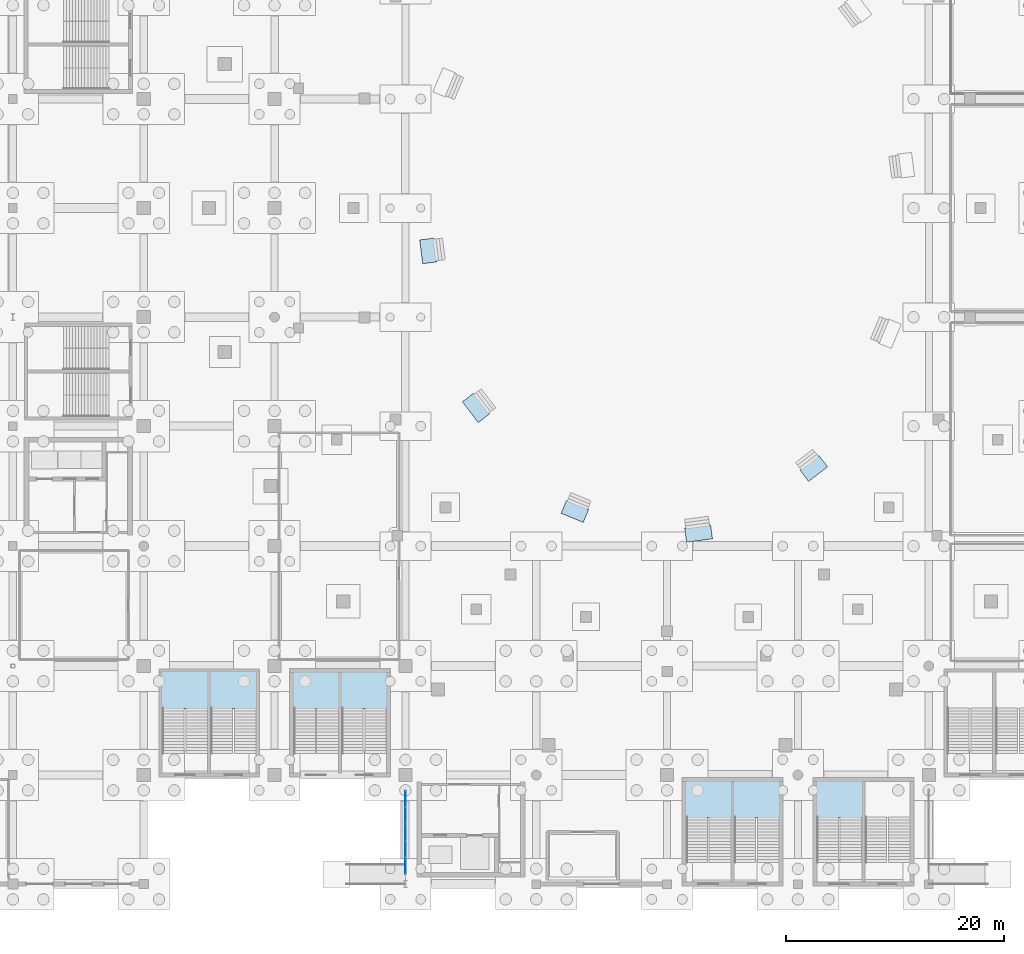
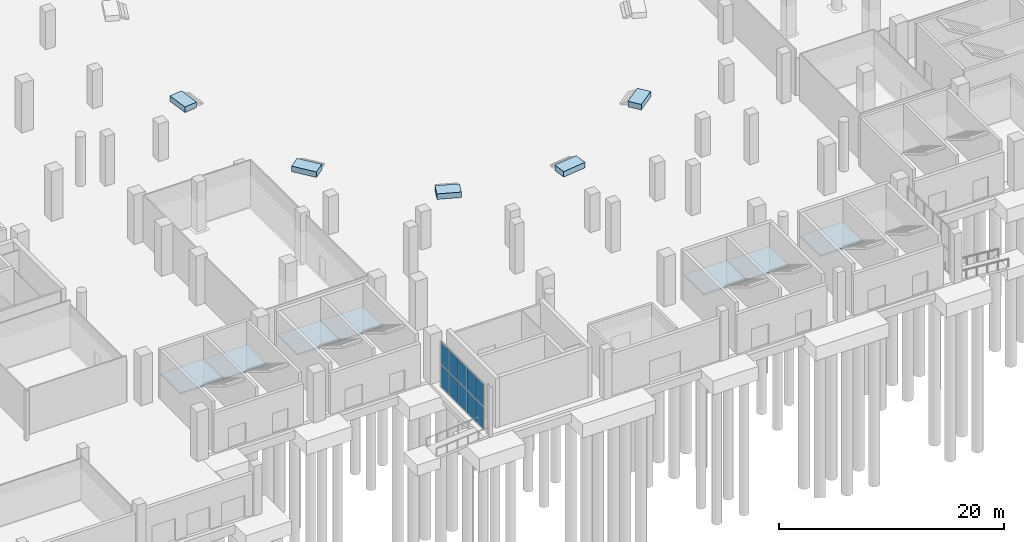
# One storey, part 40 of 70: 12 slabs, 10 plates, 8 elements without a shape of their own.
"""IFC4 building model written with IfcOpenShell, lengths in metres."""

from ifc_helpers import new_model, si_unit, direction, frame, origin, origin_2d, place, context, subcontext, project, spatial, polyline, rectangle, outline, extrude, material, layer, layer_set, type_object, element, aggregate, save


model = new_model("IFC4")

# Units and contexts
model_context = context("Model", 3, precision=1e-05, world=origin(), true_north=direction((0.0, 1.0)))
body_context = subcontext(model_context, "Body", "Model", "MODEL_VIEW")
ifc_project = project(units=[si_unit("LENGTHUNIT", "METRE"), si_unit("AREAUNIT", "SQUARE_METRE"), si_unit("VOLUMEUNIT", "CUBIC_METRE"), si_unit("PLANEANGLEUNIT", "RADIAN"), si_unit("MASSUNIT", "GRAM", prefix="KILO")], contexts=[model_context])

# Site, building, storey
site_placement = place(None, origin())
site = spatial("IfcSite", under=ifc_project, at=site_placement, CompositionType="ELEMENT")
building_placement = place(site_placement, origin())
building = spatial("IfcBuilding", under=site, at=building_placement, Name="Brinegate Civic Arena", CompositionType="ELEMENT")
storey_placement = place(building_placement, origin())
storey = spatial("IfcBuildingStorey", under=building, at=storey_placement, Name="L00", CompositionType="ELEMENT", Elevation=0.0)

# Curtain wall, plates
ifc_material_1 = material(Name="Marine grade aluminium", Category="aluminium")
ifc_layer_1 = layer(ifc_material_1, 0.235107421875, Name="Marine grade aluminium")
ifc_layer_set_1 = layer_set([ifc_layer_1], Name="Marine grade aluminium")
curtain_wall_type = type_object("IfcCurtainWallType", Name="CW-PORTAL-NORTH-01", PredefinedType="USERDEFINED", material=ifc_layer_set_1)
curtain_wall_placement = place(storey_placement, origin())
curtain_wall = element("IfcCurtainWall", 1, at=curtain_wall_placement, inside=storey, type_object=curtain_wall_type, Name="Curtain Wall CWA-008", ObjectType="PORTAL CURTAIN WALL", PredefinedType="USERDEFINED")
ifc_material_2 = material(Name="Hurricane laminated low-E glass", Category="glass")
ifc_layer_2 = layer(ifc_material_2, 0.028076171875, Name="Hurricane laminated low-E glass")
ifc_layer_set_2 = layer_set([ifc_layer_2], Name="Hurricane laminated low-E glass")
plate_type = type_object("IfcPlateType", Name="CW-PANEL-GLAZED-28", PredefinedType="CURTAIN_PANEL", material=ifc_layer_set_2)
plate_1_placement = place(storey_placement, frame((84.0, 1.682861328125, 0.074951171875), z_axis=(0.0, 0.0, 1.0), x_axis=(0.0, 1.0, 0.0)))
plate_1 = element("IfcPlate", 2, at=plate_1_placement, type_object=plate_type, Name="CWA-008 panel 1.1", PredefinedType="CURTAIN_PANEL", context=body_context, shape_type="SweptSolid", body=[
    extrude(rectangle(XDim=1.443603515625, YDim=0.028076171875, at=origin_2d()), origin(), (0.0, 0.0, 1.0), 2.41748046875),
])
plate_2_placement = place(storey_placement, frame((84.0, 1.682861328125, 2.567626953125), z_axis=(0.0, 0.0, 1.0), x_axis=(0.0, 1.0, 0.0)))
plate_2 = element("IfcPlate", 3, at=plate_2_placement, type_object=plate_type, Name="CWA-008 panel 1.2", PredefinedType="CURTAIN_PANEL", context=body_context, shape_type="SweptSolid", body=[
    extrude(rectangle(XDim=1.443603515625, YDim=0.028076171875, at=origin_2d()), origin(), (0.0, 0.0, 1.0), 2.41748046875),
])
plate_3_placement = place(storey_placement, frame((84.0, 3.20751953125, 0.074951171875), z_axis=(0.0, 0.0, 1.0), x_axis=(0.0, 1.0, 0.0)))
plate_3 = element("IfcPlate", 4, at=plate_3_placement, type_object=plate_type, Name="CWA-008 panel 2.1", PredefinedType="CURTAIN_PANEL", context=body_context, shape_type="SweptSolid", body=[
    extrude(rectangle(XDim=1.47607421875, YDim=0.028076171875, at=origin_2d()), origin(), (0.0, 0.0, 1.0), 2.41748046875),
])
plate_4_placement = place(storey_placement, frame((84.0, 3.20751953125, 2.567626953125), z_axis=(0.0, 0.0, 1.0), x_axis=(0.0, 1.0, 0.0)))
plate_4 = element("IfcPlate", 5, at=plate_4_placement, type_object=plate_type, Name="CWA-008 panel 2.2", PredefinedType="CURTAIN_PANEL", context=body_context, shape_type="SweptSolid", body=[
    extrude(rectangle(XDim=1.47607421875, YDim=0.028076171875, at=origin_2d()), origin(), (0.0, 0.0, 1.0), 2.41748046875),
])
plate_5_placement = place(storey_placement, frame((84.0, 4.74853515625, 0.074951171875), z_axis=(0.0, 0.0, 1.0), x_axis=(0.0, 1.0, 0.0)))
plate_5 = element("IfcPlate", 6, at=plate_5_placement, type_object=plate_type, Name="CWA-008 panel 3.1", PredefinedType="CURTAIN_PANEL", context=body_context, shape_type="SweptSolid", body=[
    extrude(rectangle(XDim=1.47607421875, YDim=0.028076171875, at=origin_2d()), origin(), (0.0, 0.0, 1.0), 2.41748046875),
])
plate_6_placement = place(storey_placement, frame((84.0, 4.74853515625, 2.567626953125), z_axis=(0.0, 0.0, 1.0), x_axis=(0.0, 1.0, 0.0)))
plate_6 = element("IfcPlate", 7, at=plate_6_placement, type_object=plate_type, Name="CWA-008 panel 3.2", PredefinedType="CURTAIN_PANEL", context=body_context, shape_type="SweptSolid", body=[
    extrude(rectangle(XDim=1.47607421875, YDim=0.028076171875, at=origin_2d()), origin(), (0.0, 0.0, 1.0), 2.41748046875),
])
plate_7_placement = place(storey_placement, frame((84.0, 6.28955078125, 0.074951171875), z_axis=(0.0, 0.0, 1.0), x_axis=(0.0, 1.0, 0.0)))
plate_7 = element("IfcPlate", 8, at=plate_7_placement, type_object=plate_type, Name="CWA-008 panel 4.1", PredefinedType="CURTAIN_PANEL", context=body_context, shape_type="SweptSolid", body=[
    extrude(rectangle(XDim=1.47607421875, YDim=0.028076171875, at=origin_2d()), origin(), (0.0, 0.0, 1.0), 2.41748046875),
])
plate_8_placement = place(storey_placement, frame((84.0, 6.28955078125, 2.567626953125), z_axis=(0.0, 0.0, 1.0), x_axis=(0.0, 1.0, 0.0)))
plate_8 = element("IfcPlate", 9, at=plate_8_placement, type_object=plate_type, Name="CWA-008 panel 4.2", PredefinedType="CURTAIN_PANEL", context=body_context, shape_type="SweptSolid", body=[
    extrude(rectangle(XDim=1.47607421875, YDim=0.028076171875, at=origin_2d()), origin(), (0.0, 0.0, 1.0), 2.41748046875),
])
plate_9_placement = place(storey_placement, frame((84.0, 7.814208984375, 0.074951171875), z_axis=(0.0, 0.0, 1.0), x_axis=(0.0, 1.0, 0.0)))
plate_9 = element("IfcPlate", 10, at=plate_9_placement, type_object=plate_type, Name="CWA-008 panel 5.1", PredefinedType="CURTAIN_PANEL", context=body_context, shape_type="SweptSolid", body=[
    extrude(rectangle(XDim=1.443603515625, YDim=0.028076171875, at=origin_2d()), origin(), (0.0, 0.0, 1.0), 2.41748046875),
])
plate_10_placement = place(storey_placement, frame((84.0, 7.814208984375, 2.567626953125), z_axis=(0.0, 0.0, 1.0), x_axis=(0.0, 1.0, 0.0)))
plate_10 = element("IfcPlate", 11, at=plate_10_placement, type_object=plate_type, Name="CWA-008 panel 5.2", PredefinedType="CURTAIN_PANEL", context=body_context, shape_type="SweptSolid", body=[
    extrude(rectangle(XDim=1.443603515625, YDim=0.028076171875, at=origin_2d()), origin(), (0.0, 0.0, 1.0), 2.41748046875),
])
aggregate(curtain_wall, [plate_1, plate_2, plate_3, plate_4, plate_5, plate_6, plate_7, plate_8, plate_9, plate_10])

# Stair, slab
ifc_material_3 = material(Name="Concrete C40/50", Category="concrete")
stair_type_1 = type_object("IfcStairType", Name="STAIR-EXIT-3850", PredefinedType="HALF_TURN_STAIR", material=ifc_material_3)
stair_1_placement = place(storey_placement, origin())
stair_1 = element("IfcStair", 12, at=stair_1_placement, inside=storey, type_object=stair_type_1, Name="Protected Exit Stair ST-02A (L00)", PredefinedType="HALF_TURN_STAIR")
ifc_layer_3 = layer(ifc_material_3, 0.179931640625, Name="Concrete C40/50")
ifc_layer_set_3 = layer_set([ifc_layer_3], Name="Concrete C40/50")
slab_type_1 = type_object("IfcSlabType", Name="SLAB-LANDING-180", PredefinedType="LANDING", material=ifc_layer_set_3)
slab_1_placement = place(storey_placement, frame((0.0, 0.0, 2.52001953125)))
slab_1 = element("IfcSlab", 13, at=slab_1_placement, type_object=slab_type_1, Name="ST-02A landing 1", PredefinedType="LANDING", context=body_context, shape_type="SweptSolid", body=[
    extrude(outline(polyline([(61.544921875, 16.090087890625), (66.0048828125, 16.090087890625), (66.0048828125, 19.60009765625), (61.544921875, 19.60009765625), (61.544921875, 16.090087890625)])), origin(), (0.0, 0.0, 1.0), 0.179931640625),
])
aggregate(stair_1, [slab_1])

stair_type_2 = type_object("IfcStairType", Name="STAIR-EXIT-3700", PredefinedType="HALF_TURN_STAIR", material=ifc_material_3)
stair_2_placement = place(storey_placement, origin())
stair_2 = element("IfcStair", 14, at=stair_2_placement, inside=storey, type_object=stair_type_2, Name="Protected Exit Stair ST-02B (L00)", PredefinedType="HALF_TURN_STAIR")
slab_2_placement = place(storey_placement, frame((0.0, 0.0, 2.52001953125)))
slab_2 = element("IfcSlab", 15, at=slab_2_placement, type_object=slab_type_1, Name="ST-02B landing 1", PredefinedType="LANDING", context=body_context, shape_type="SweptSolid", body=[
    extrude(outline(polyline([(65.9951171875, 16.090087890625), (70.455078125, 16.090087890625), (70.455078125, 19.60009765625), (65.9951171875, 19.60009765625), (65.9951171875, 16.090087890625)])), origin(), (0.0, 0.0, 1.0), 0.179931640625),
])
aggregate(stair_2, [slab_2])

stair_3_placement = place(storey_placement, origin())
stair_3 = element("IfcStair", 16, at=stair_3_placement, inside=storey, type_object=stair_type_1, Name="Protected Exit Stair ST-04A (L00)", PredefinedType="HALF_TURN_STAIR")
slab_3_placement = place(storey_placement, frame((0.0, 0.0, 2.52001953125)))
slab_3 = element("IfcSlab", 17, at=slab_3_placement, type_object=slab_type_1, Name="ST-04A landing 1", PredefinedType="LANDING", context=body_context, shape_type="SweptSolid", body=[
    extrude(outline(polyline([(121.574951171875, 6.090087890625), (126.0048828125, 6.090087890625), (126.0048828125, 9.60009765625), (121.574951171875, 9.60009765625), (121.574951171875, 6.090087890625)])), origin(), (0.0, 0.0, 1.0), 0.179931640625),
])
aggregate(stair_3, [slab_3])

stair_4_placement = place(storey_placement, origin())
stair_4 = element("IfcStair", 18, at=stair_4_placement, inside=storey, type_object=stair_type_1, Name="Protected Exit Stair ST-12A (L00)", PredefinedType="HALF_TURN_STAIR")
slab_4_placement = place(storey_placement, frame((0.0, 0.0, 2.52001953125)))
slab_4 = element("IfcSlab", 19, at=slab_4_placement, type_object=slab_type_1, Name="ST-12A landing 1", PredefinedType="LANDING", context=body_context, shape_type="SweptSolid", body=[
    extrude(outline(polyline([(73.594970703125, 16.090087890625), (78.0048828125, 16.090087890625), (78.0048828125, 19.60009765625), (73.594970703125, 19.60009765625), (73.594970703125, 16.090087890625)])), origin(), (0.0, 0.0, 1.0), 0.179931640625),
])
aggregate(stair_4, [slab_4])

stair_5_placement = place(storey_placement, origin())
stair_5 = element("IfcStair", 20, at=stair_5_placement, inside=storey, type_object=stair_type_2, Name="Protected Exit Stair ST-12B (L00)", PredefinedType="HALF_TURN_STAIR")
slab_5_placement = place(storey_placement, frame((0.0, 0.0, 2.52001953125)))
slab_5 = element("IfcSlab", 21, at=slab_5_placement, type_object=slab_type_1, Name="ST-12B landing 1", PredefinedType="LANDING", context=body_context, shape_type="SweptSolid", body=[
    extrude(outline(polyline([(77.9951171875, 16.090087890625), (82.405029296875, 16.090087890625), (82.405029296875, 19.60009765625), (77.9951171875, 19.60009765625), (77.9951171875, 16.090087890625)])), origin(), (0.0, 0.0, 1.0), 0.179931640625),
])
aggregate(stair_5, [slab_5])

stair_6_placement = place(storey_placement, origin())
stair_6 = element("IfcStair", 22, at=stair_6_placement, inside=storey, type_object=stair_type_1, Name="Protected Exit Stair ST-16A (L00)", PredefinedType="HALF_TURN_STAIR")
slab_6_placement = place(storey_placement, frame((0.0, 0.0, 2.52001953125)))
slab_6 = element("IfcSlab", 23, at=slab_6_placement, type_object=slab_type_1, Name="ST-16A landing 1", PredefinedType="LANDING", context=body_context, shape_type="SweptSolid", body=[
    extrude(outline(polyline([(109.574951171875, 6.090087890625), (114.0048828125, 6.090087890625), (114.0048828125, 9.60009765625), (109.574951171875, 9.60009765625), (109.574951171875, 6.090087890625)])), origin(), (0.0, 0.0, 1.0), 0.179931640625),
])
aggregate(stair_6, [slab_6])

stair_7_placement = place(storey_placement, origin())
stair_7 = element("IfcStair", 24, at=stair_7_placement, inside=storey, type_object=stair_type_2, Name="Protected Exit Stair ST-16B (L00)", PredefinedType="HALF_TURN_STAIR")
slab_7_placement = place(storey_placement, frame((0.0, 0.0, 2.52001953125)))
slab_7 = element("IfcSlab", 25, at=slab_7_placement, type_object=slab_type_1, Name="ST-16B landing 1", PredefinedType="LANDING", context=body_context, shape_type="SweptSolid", body=[
    extrude(outline(polyline([(113.9951171875, 6.090087890625), (118.425048828125, 6.090087890625), (118.425048828125, 9.60009765625), (113.9951171875, 9.60009765625), (113.9951171875, 6.090087890625)])), origin(), (0.0, 0.0, 1.0), 0.179931640625),
])
aggregate(stair_7, [slab_7])

# Slabs
ifc_layer_4 = layer(ifc_material_3, 0.60009765625, Name="Concrete C40/50")
ifc_layer_set_4 = layer_set([ifc_layer_4], Name="Concrete C40/50")
slab_type_2 = type_object("IfcSlabType", Name="SLAB-LANDING-600", PredefinedType="LANDING", material=ifc_layer_set_4)
slab_8_placement = place(storey_placement, origin())
element("IfcSlab", 26, at=slab_8_placement, inside=storey, type_object=slab_type_2, Name="Vomitory Arrival Landing VS-07", PredefinedType="LANDING", context=body_context, shape_type="SweptSolid", body=[
    extrude(outline(polyline([(86.590087890625, 59.24609375), (85.301025390625, 59.076904296875), (85.587890625, 56.89599609375), (86.876953125, 57.06494140625), (86.590087890625, 59.24609375)])), origin(), (0.0, 0.0, 1.0), 0.60009765625),
])
slab_9_placement = place(storey_placement, origin())
element("IfcSlab", 27, at=slab_9_placement, inside=storey, type_object=slab_type_2, Name="Vomitory Arrival Landing VS-08", PredefinedType="LANDING", context=body_context, shape_type="SweptSolid", body=[
    extrude(outline(polyline([(90.251953125, 45.02392578125), (89.220947265625, 44.23193359375), (90.681884765625, 42.327880859375), (91.712890625, 43.1201171875), (90.251953125, 45.02392578125)])), origin(), (0.0, 0.0, 1.0), 0.60009765625),
])
slab_10_placement = place(storey_placement, origin())
element("IfcSlab", 28, at=slab_10_placement, inside=storey, type_object=slab_type_2, Name="Vomitory Arrival Landing VS-09", PredefinedType="LANDING", context=body_context, shape_type="SweptSolid", body=[
    extrude(outline(polyline([(98.77490234375, 35.2119140625), (98.278076171875, 34.010986328125), (100.31103515625, 33.169921875), (100.80810546875, 34.37109375), (98.77490234375, 35.2119140625)])), origin(), (0.0, 0.0, 1.0), 0.60009765625),
])
slab_11_placement = place(storey_placement, origin())
element("IfcSlab", 29, at=slab_11_placement, inside=storey, type_object=slab_type_2, Name="Vomitory Arrival Landing VS-10", PredefinedType="LANDING", context=body_context, shape_type="SweptSolid", body=[
    extrude(outline(polyline([(109.610107421875, 32.64599609375), (109.780029296875, 31.35693359375), (112.159912109375, 31.669921875), (111.989990234375, 32.958984375), (109.610107421875, 32.64599609375)])), origin(), (0.0, 0.0, 1.0), 0.60009765625),
])
slab_12_placement = place(storey_placement, origin())
element("IfcSlab", 30, at=slab_12_placement, inside=storey, type_object=slab_type_2, Name="Vomitory Arrival Landing VS-11", PredefinedType="LANDING", context=body_context, shape_type="SweptSolid", body=[
    extrude(outline(polyline([(120.18603515625, 37.966064453125), (120.97705078125, 36.93505859375), (122.721923828125, 38.27392578125), (121.930908203125, 39.304931640625), (120.18603515625, 37.966064453125)])), origin(), (0.0, 0.0, 1.0), 0.60009765625),
])

save(model, "model.ifc")
